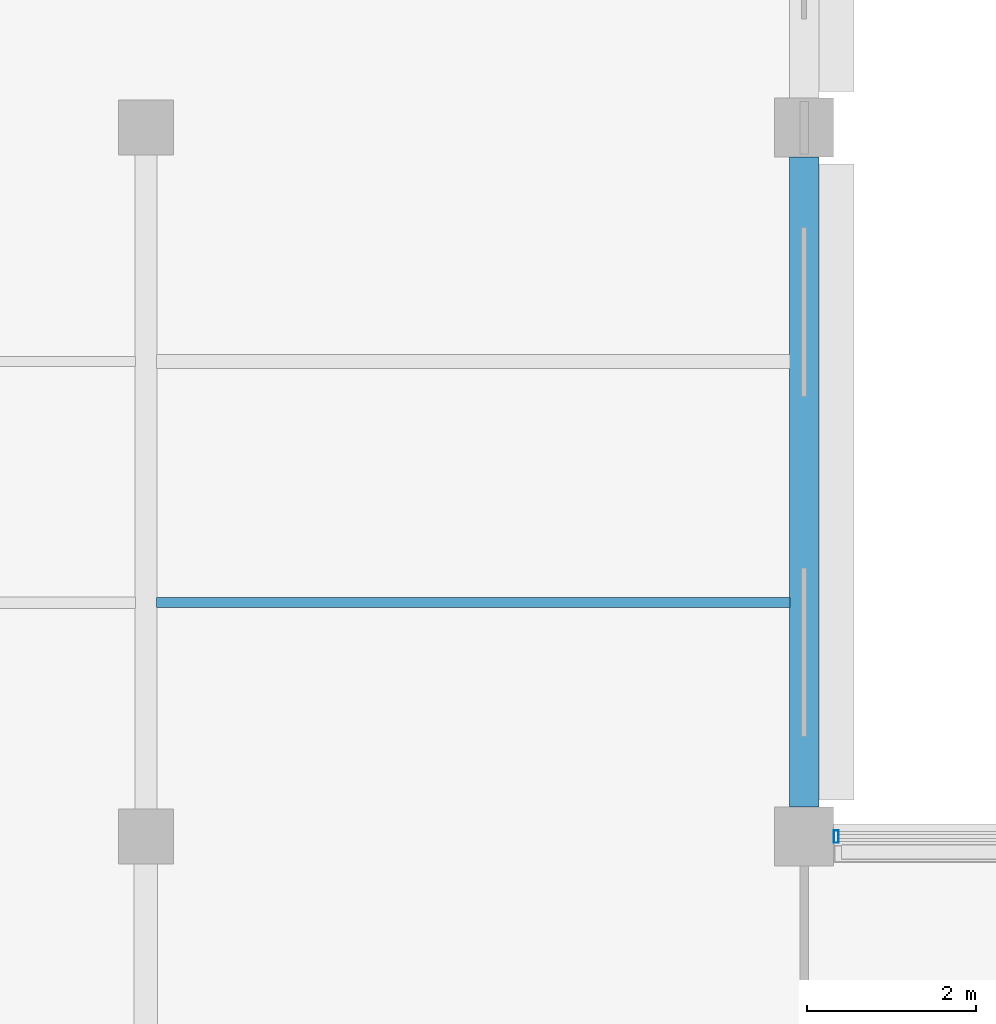
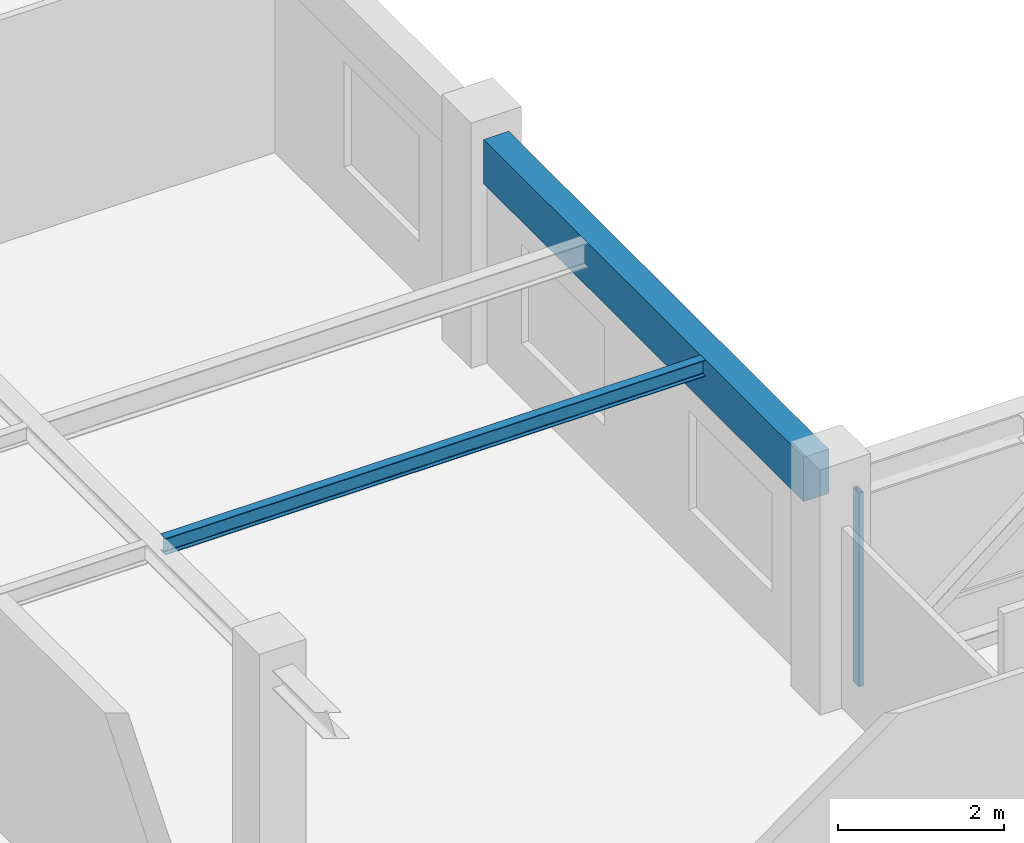
# One storey, part 11 of 49: 2 beams, 1 member, 1 element without a shape of its own.
"""IFC4 building model written with IfcOpenShell, lengths in metres."""

from ifc_helpers import new_model, si_unit, direction, frame, origin, origin_2d, place, context, subcontext, project, spatial, rectangle, hollow_rectangle, i_section, extrude, material, material_profile, profile_set, type_object, element, aggregate, save


model = new_model("IFC4")

# Units and contexts
model_context = context("Model", 3, precision=1e-05, world=origin(), true_north=direction((0.0, 1.0)))
body_context = subcontext(model_context, "Body", "Model", "MODEL_VIEW")
ifc_project = project(units=[si_unit("LENGTHUNIT", "METRE"), si_unit("AREAUNIT", "SQUARE_METRE"), si_unit("VOLUMEUNIT", "CUBIC_METRE"), si_unit("PLANEANGLEUNIT", "RADIAN"), si_unit("MASSUNIT", "GRAM", prefix="KILO"), si_unit("THERMODYNAMICTEMPERATUREUNIT", "KELVIN"), si_unit("POWERUNIT", "WATT")], contexts=[model_context])

# Site, building, storey
site_placement = place(None, origin())
site = spatial("IfcSite", under=ifc_project, at=site_placement, CompositionType="ELEMENT")
building_placement = place(site_placement, origin())
building = spatial("IfcBuilding", under=site, at=building_placement, Name="Srebrne Nadtorze General Hospital", CompositionType="ELEMENT")
storey_placement = place(building_placement, frame((0.0, 0.0, 26.10009765625)))
storey = spatial("IfcBuildingStorey", under=building, at=storey_placement, Name="L06", CompositionType="ELEMENT", Elevation=26.10009765625)

# Curtain wall, member
ifc_material_1 = material(Name="Anodised Aluminium", Category="aluminium")
curtain_wall_type = type_object("IfcCurtainWallType", Name="Bridge curtain wall 7300x2850", PredefinedType="NOTDEFINED", material=ifc_material_1)
curtain_wall_placement = place(storey_placement, origin())
curtain_wall = element("IfcCurtainWall", 1, at=curtain_wall_placement, inside=storey, type_object=curtain_wall_type, Name="Curtain wall CW-144", PredefinedType="NOTDEFINED")
ifc_material_2 = material(Name="Anodised Aluminium", Category="aluminium")
ifc_material_profile_1 = material_profile(ifc_material_2, hollow_rectangle(XDim=0.06005859375, YDim=0.14990234375, WallThickness=0.00390625, at=origin_2d()), Name="AL-MUL-60x150")
ifc_profile_set_1 = profile_set([ifc_material_profile_1], Name="Anodised Aluminium")
member_type = type_object("IfcMemberType", Name="Curtain mullion 60x150", PredefinedType="MULLION", material=ifc_profile_set_1)
member_placement = place(storey_placement, frame((54.97998046875, 58.800048828125, 0.0), z_axis=(0.0, 0.0, 1.0), x_axis=(1.0, 0.0, 0.0)))
member = element("IfcMember", 2, at=member_placement, type_object=member_type, Name="CW-144 mullion 1", PredefinedType="MULLION", context=body_context, shape_type="SweptSolid", body=[
    extrude(hollow_rectangle(XDim=0.06005859375, YDim=0.14990234375, WallThickness=0.00390625, at=origin_2d()), origin(), (0.0, 0.0, 1.0), 2.849853515625),
])
aggregate(curtain_wall, [member])

# Beams
ifc_material_3 = material(Name="Concrete C35/45", Category="concrete")
ifc_material_profile_2 = material_profile(ifc_material_3, rectangle(XDim=0.35009765625, YDim=0.64990234375, at=origin_2d()), Name="RC-BM-350x650")
ifc_profile_set_2 = profile_set([ifc_material_profile_2], Name="Concrete C35/45")
beam_type_1 = type_object("IfcBeamType", Name="Edge beam RC 350x650", PredefinedType="BEAM", material=ifc_profile_set_2)
beam_1_placement = place(storey_placement, frame((54.60009765625, 59.14990234375, 2.974853515625), z_axis=(0.0, 1.0, 0.0), x_axis=(-1.0, 0.0, 0.0)))
element("IfcBeam", 3, at=beam_1_placement, inside=storey, type_object=beam_type_1, Name="Beam BM-L06-Y-1213", PredefinedType="BEAM", context=body_context, shape_type="SweptSolid", body=[
    extrude(rectangle(XDim=0.35009765625, YDim=0.64990234375, at=origin_2d()), origin(), (0.0, 0.0, 1.0), 7.7001953125),
])
ifc_material_4 = material(Name="Steel S355J2", Category="steel")
ifc_material_profile_3 = material_profile(ifc_material_4, i_section(OverallWidth=0.1201171875, OverallDepth=0.239990234375, WebThickness=0.006103515625, FlangeThickness=0.009765625, FilletRadius=0.014892578125, at=origin_2d()), Name="IPE-240")
ifc_profile_set_3 = profile_set([ifc_material_profile_3], Name="Steel S355J2")
beam_type_2 = type_object("IfcBeamType", Name="Secondary joist IPE 240", PredefinedType="JOIST", material=ifc_profile_set_3)
beam_2_placement = place(storey_placement, frame((46.925048828125, 61.572021484375, 3.179931640625), z_axis=(1.0, 0.0, 0.0), x_axis=(0.0, 1.0, 0.0)))
element("IfcBeam", 4, at=beam_2_placement, inside=storey, type_object=beam_type_2, Name="Interstitial deck joist SJ-L06-0126", PredefinedType="JOIST", context=body_context, shape_type="SweptSolid", body=[
    extrude(i_section(OverallWidth=0.1201171875, OverallDepth=0.239990234375, WebThickness=0.006103515625, FlangeThickness=0.009765625, FilletRadius=0.014892578125, at=origin_2d()), origin(), (0.0, 0.0, 1.0), 7.5048828125),
])

save(model, "model.ifc")
